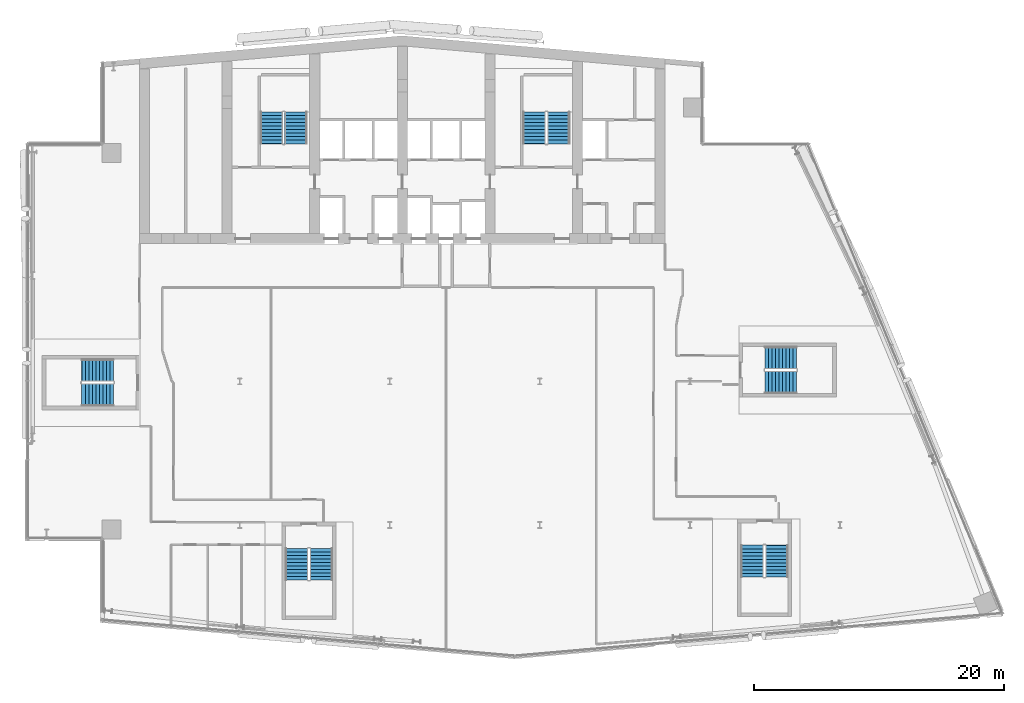
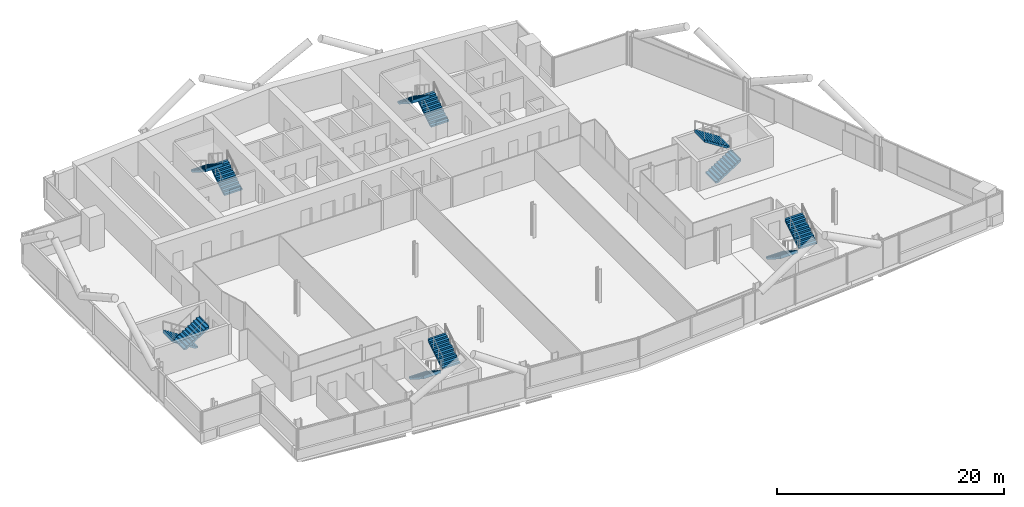
# One storey, part 20 of 26: 12 stair flights, 6 elements without a shape of their own.
"""IFC4 building model written with IfcOpenShell, lengths in metres."""

from ifc_helpers import new_model, si_unit, direction, frame, origin, place, context, subcontext, project, spatial, polyline, outline, extrude, material, type_object, element, aggregate, save


model = new_model("IFC4")

# Units and contexts
model_context = context("Model", 3, precision=1e-05, world=origin(), true_north=direction((0.0, 1.0)))
body_context = subcontext(model_context, "Body", "Model", "MODEL_VIEW")
ifc_project = project(units=[si_unit("LENGTHUNIT", "METRE"), si_unit("AREAUNIT", "SQUARE_METRE"), si_unit("VOLUMEUNIT", "CUBIC_METRE"), si_unit("PLANEANGLEUNIT", "RADIAN"), si_unit("MASSUNIT", "GRAM", prefix="KILO")], contexts=[model_context])

# Site, building, storey
site_placement = place(None, origin())
site = spatial("IfcSite", under=ifc_project, at=site_placement, CompositionType="ELEMENT")
building_placement = place(site_placement, origin())
building = spatial("IfcBuilding", under=site, at=building_placement, Name="Wharfspan Tower", CompositionType="ELEMENT")
storey_placement = place(building_placement, frame((0.0, 0.0, 184.300049)))
storey = spatial("IfcBuildingStorey", under=building, at=storey_placement, Name="L45", CompositionType="ELEMENT", Elevation=184.300049)

# Stair, stair flights
ifc_material = material(Name="Concrete C40/50", Category="concrete")
stair_type = type_object("IfcStairType", Name="Half-turn stair 20 risers 180 mm", PredefinedType="HALF_TURN_STAIR", material=ifc_material)
stair_1_placement = place(storey_placement, origin())
stair_1 = element("IfcStair", 1, at=stair_1_placement, inside=storey, type_object=stair_type, Name="L45 stair ST1", PredefinedType="HALF_TURN_STAIR")
stair_flight_type = type_object("IfcStairFlightType", Name="Stair flight 20 risers 180 mm", PredefinedType="STRAIGHT", material=ifc_material)
stair_flight_1_placement = place(storey_placement, frame((28.5, 42.0, 0.0), z_axis=(0.0, 0.0, 1.0), x_axis=(0.0, 1.0, 0.0)))
stair_flight_1 = element("IfcStairFlight", 2, at=stair_flight_1_placement, type_object=stair_flight_type, Name="ST1 flight 1", NumberOfRisers=10, NumberOfTreads=9, PredefinedType="STRAIGHT", RiserHeight=0.18, TreadLength=0.28, context=body_context, shape_type="SweptSolid", body=[
    extrude(outline(polyline([(-0.011963, 0.0), (-0.011963, 0.179932), (0.0, 0.179932), (0.280029, 0.179932), (0.280029, 0.360107), (0.560059, 0.360107), (0.560059, 0.540039), (0.840088, 0.540039), (0.840088, 0.719971), (1.120117, 0.719971), (1.120117, 0.899902), (1.399902, 0.899902), (1.399902, 1.080078), (1.679932, 1.080078), (1.679932, 1.26001), (1.959961, 1.26001), (1.959961, 1.439941), (2.23999, 1.439941), (2.23999, 1.620117), (2.52002, 1.620117), (2.531982, 1.800049), (2.531982, 1.441895), (0.2771, 0.0), (-0.011963, 0.0)])), frame((0.0, 0.899902, 0.0), z_axis=(0.0, -1.0, 0.0), x_axis=(1.0, 0.0, 0.0)), (0.0, 0.0, 1.0), 0.899414),
    extrude(outline(polyline([(-0.011963, 0.0), (-0.011963, 0.179932), (0.0, 0.179932), (0.280029, 0.179932), (0.280029, 0.360107), (0.560059, 0.360107), (0.560059, 0.540039), (0.840088, 0.540039), (0.840088, 0.719971), (1.120117, 0.719971), (1.120117, 0.899902), (1.399902, 0.899902), (1.399902, 1.080078), (1.679932, 1.080078), (1.679932, 1.26001), (1.959961, 1.26001), (1.959961, 1.439941), (2.23999, 1.439941), (2.23999, 1.620117), (2.52002, 1.620117), (2.531982, 1.800049), (2.531982, 1.441895), (0.2771, 0.0), (-0.011963, 0.0)])), frame((0.0, -0.000488, 0.0), z_axis=(0.0, -1.0, 0.0), x_axis=(1.0, 0.0, 0.0)), (0.0, 0.0, 1.0), 0.899414),
])
stair_flight_2_placement = place(storey_placement, frame((26.550049, 44.52002, 1.800049), z_axis=(0.0, 0.0, 1.0), x_axis=(0.0, -1.0, 0.0)))
stair_flight_2 = element("IfcStairFlight", 3, at=stair_flight_2_placement, type_object=stair_flight_type, Name="ST1 flight 2", NumberOfRisers=10, NumberOfTreads=9, PredefinedType="STRAIGHT", RiserHeight=0.18, TreadLength=0.28, context=body_context, shape_type="SweptSolid", body=[
    extrude(outline(polyline([(-0.011963, 0.0), (-0.011963, 0.179932), (0.0, 0.179932), (0.280029, 0.179932), (0.280029, 0.360107), (0.560059, 0.360107), (0.560059, 0.540039), (0.840088, 0.540039), (0.840088, 0.719971), (1.120117, 0.719971), (1.120117, 0.899902), (1.399902, 0.899902), (1.399902, 1.080078), (1.679932, 1.080078), (1.679932, 1.26001), (1.959961, 1.26001), (1.959961, 1.439941), (2.23999, 1.439941), (2.23999, 1.620117), (2.52002, 1.620117), (2.531982, 1.800049), (2.531982, 1.441895), (0.2771, 0.0), (-0.011963, 0.0)])), frame((0.0, 0.899902, 0.0), z_axis=(0.0, -1.0, 0.0), x_axis=(1.0, 0.0, 0.0)), (0.0, 0.0, 1.0), 0.899414),
    extrude(outline(polyline([(-0.011963, 0.0), (-0.011963, 0.179932), (0.0, 0.179932), (0.280029, 0.179932), (0.280029, 0.360107), (0.560059, 0.360107), (0.560059, 0.540039), (0.840088, 0.540039), (0.840088, 0.719971), (1.120117, 0.719971), (1.120117, 0.899902), (1.399902, 0.899902), (1.399902, 1.080078), (1.679932, 1.080078), (1.679932, 1.26001), (1.959961, 1.26001), (1.959961, 1.439941), (2.23999, 1.439941), (2.23999, 1.620117), (2.52002, 1.620117), (2.531982, 1.800049), (2.531982, 1.441895), (0.2771, 0.0), (-0.011963, 0.0)])), frame((0.0, -0.000488, 0.0), z_axis=(0.0, -1.0, 0.0), x_axis=(1.0, 0.0, 0.0)), (0.0, 0.0, 1.0), 0.899414),
])
aggregate(stair_1, [stair_flight_1, stair_flight_2])

stair_2_placement = place(storey_placement, origin())
stair_2 = element("IfcStair", 4, at=stair_2_placement, inside=storey, type_object=stair_type, Name="L45 stair ST2", PredefinedType="HALF_TURN_STAIR")
stair_flight_3_placement = place(storey_placement, frame((49.5, 42.0, 0.0), z_axis=(0.0, 0.0, 1.0), x_axis=(0.0, 1.0, 0.0)))
stair_flight_3 = element("IfcStairFlight", 5, at=stair_flight_3_placement, type_object=stair_flight_type, Name="ST2 flight 1", NumberOfRisers=10, NumberOfTreads=9, PredefinedType="STRAIGHT", RiserHeight=0.18, TreadLength=0.28, context=body_context, shape_type="SweptSolid", body=[
    extrude(outline(polyline([(-0.011963, 0.0), (-0.011963, 0.179932), (0.0, 0.179932), (0.280029, 0.179932), (0.280029, 0.360107), (0.560059, 0.360107), (0.560059, 0.540039), (0.840088, 0.540039), (0.840088, 0.719971), (1.120117, 0.719971), (1.120117, 0.899902), (1.399902, 0.899902), (1.399902, 1.080078), (1.679932, 1.080078), (1.679932, 1.26001), (1.959961, 1.26001), (1.959961, 1.439941), (2.23999, 1.439941), (2.23999, 1.620117), (2.52002, 1.620117), (2.531982, 1.800049), (2.531982, 1.441895), (0.2771, 0.0), (-0.011963, 0.0)])), frame((0.0, 0.899902, 0.0), z_axis=(0.0, -1.0, 0.0), x_axis=(1.0, 0.0, 0.0)), (0.0, 0.0, 1.0), 0.899414),
    extrude(outline(polyline([(-0.011963, 0.0), (-0.011963, 0.179932), (0.0, 0.179932), (0.280029, 0.179932), (0.280029, 0.360107), (0.560059, 0.360107), (0.560059, 0.540039), (0.840088, 0.540039), (0.840088, 0.719971), (1.120117, 0.719971), (1.120117, 0.899902), (1.399902, 0.899902), (1.399902, 1.080078), (1.679932, 1.080078), (1.679932, 1.26001), (1.959961, 1.26001), (1.959961, 1.439941), (2.23999, 1.439941), (2.23999, 1.620117), (2.52002, 1.620117), (2.531982, 1.800049), (2.531982, 1.441895), (0.2771, 0.0), (-0.011963, 0.0)])), frame((0.0, -0.000488, 0.0), z_axis=(0.0, -1.0, 0.0), x_axis=(1.0, 0.0, 0.0)), (0.0, 0.0, 1.0), 0.899414),
])
stair_flight_4_placement = place(storey_placement, frame((47.550049, 44.52002, 1.800049), z_axis=(0.0, 0.0, 1.0), x_axis=(0.0, -1.0, 0.0)))
stair_flight_4 = element("IfcStairFlight", 6, at=stair_flight_4_placement, type_object=stair_flight_type, Name="ST2 flight 2", NumberOfRisers=10, NumberOfTreads=9, PredefinedType="STRAIGHT", RiserHeight=0.18, TreadLength=0.28, context=body_context, shape_type="SweptSolid", body=[
    extrude(outline(polyline([(-0.011963, 0.0), (-0.011963, 0.179932), (0.0, 0.179932), (0.280029, 0.179932), (0.280029, 0.360107), (0.560059, 0.360107), (0.560059, 0.540039), (0.840088, 0.540039), (0.840088, 0.719971), (1.120117, 0.719971), (1.120117, 0.899902), (1.399902, 0.899902), (1.399902, 1.080078), (1.679932, 1.080078), (1.679932, 1.26001), (1.959961, 1.26001), (1.959961, 1.439941), (2.23999, 1.439941), (2.23999, 1.620117), (2.52002, 1.620117), (2.531982, 1.800049), (2.531982, 1.441895), (0.2771, 0.0), (-0.011963, 0.0)])), frame((0.0, 0.899902, 0.0), z_axis=(0.0, -1.0, 0.0), x_axis=(1.0, 0.0, 0.0)), (0.0, 0.0, 1.0), 0.899414),
    extrude(outline(polyline([(-0.011963, 0.0), (-0.011963, 0.179932), (0.0, 0.179932), (0.280029, 0.179932), (0.280029, 0.360107), (0.560059, 0.360107), (0.560059, 0.540039), (0.840088, 0.540039), (0.840088, 0.719971), (1.120117, 0.719971), (1.120117, 0.899902), (1.399902, 0.899902), (1.399902, 1.080078), (1.679932, 1.080078), (1.679932, 1.26001), (1.959961, 1.26001), (1.959961, 1.439941), (2.23999, 1.439941), (2.23999, 1.620117), (2.52002, 1.620117), (2.531982, 1.800049), (2.531982, 1.441895), (0.2771, 0.0), (-0.011963, 0.0)])), frame((0.0, -0.000488, 0.0), z_axis=(0.0, -1.0, 0.0), x_axis=(1.0, 0.0, 0.0)), (0.0, 0.0, 1.0), 0.899414),
])
aggregate(stair_2, [stair_flight_3, stair_flight_4])

stair_3_placement = place(storey_placement, origin())
stair_3 = element("IfcStair", 7, at=stair_3_placement, inside=storey, type_object=stair_type, Name="L45 stair ST3", PredefinedType="HALF_TURN_STAIR")
stair_flight_5_placement = place(storey_placement, frame((13.899902, 23.875, 0.0), z_axis=(0.0, 0.0, 1.0), x_axis=(-1.0, 0.0, 0.0)))
stair_flight_5 = element("IfcStairFlight", 8, at=stair_flight_5_placement, type_object=stair_flight_type, Name="ST3 flight 1", NumberOfRisers=10, NumberOfTreads=9, PredefinedType="STRAIGHT", RiserHeight=0.18, TreadLength=0.28, context=body_context, shape_type="SweptSolid", body=[
    extrude(outline(polyline([(-0.011963, 0.0), (-0.011963, 0.179932), (0.0, 0.179932), (0.280029, 0.179932), (0.280029, 0.360107), (0.560059, 0.360107), (0.560059, 0.540039), (0.840088, 0.540039), (0.840088, 0.719971), (1.120117, 0.719971), (1.120117, 0.899902), (1.399902, 0.899902), (1.399902, 1.080078), (1.679932, 1.080078), (1.679932, 1.26001), (1.959961, 1.26001), (1.959961, 1.439941), (2.23999, 1.439941), (2.23999, 1.620117), (2.52002, 1.620117), (2.531982, 1.800049), (2.531982, 1.441895), (0.2771, 0.0), (-0.011963, 0.0)])), frame((0.0, 0.899902, 0.0), z_axis=(0.0, -1.0, 0.0), x_axis=(1.0, 0.0, 0.0)), (0.0, 0.0, 1.0), 0.899414),
    extrude(outline(polyline([(-0.011963, 0.0), (-0.011963, 0.179932), (0.0, 0.179932), (0.280029, 0.179932), (0.280029, 0.360107), (0.560059, 0.360107), (0.560059, 0.540039), (0.840088, 0.540039), (0.840088, 0.719971), (1.120117, 0.719971), (1.120117, 0.899902), (1.399902, 0.899902), (1.399902, 1.080078), (1.679932, 1.080078), (1.679932, 1.26001), (1.959961, 1.26001), (1.959961, 1.439941), (2.23999, 1.439941), (2.23999, 1.620117), (2.52002, 1.620117), (2.531982, 1.800049), (2.531982, 1.441895), (0.2771, 0.0), (-0.011963, 0.0)])), frame((0.0, -0.000488, 0.0), z_axis=(0.0, -1.0, 0.0), x_axis=(1.0, 0.0, 0.0)), (0.0, 0.0, 1.0), 0.899414),
])
stair_flight_6_placement = place(storey_placement, frame((11.379883, 21.925049, 1.800049), z_axis=(0.0, 0.0, 1.0), x_axis=(1.0, 0.0, 0.0)))
stair_flight_6 = element("IfcStairFlight", 9, at=stair_flight_6_placement, type_object=stair_flight_type, Name="ST3 flight 2", NumberOfRisers=10, NumberOfTreads=9, PredefinedType="STRAIGHT", RiserHeight=0.18, TreadLength=0.28, context=body_context, shape_type="SweptSolid", body=[
    extrude(outline(polyline([(-0.011963, 0.0), (-0.011963, 0.179932), (0.0, 0.179932), (0.280029, 0.179932), (0.280029, 0.360107), (0.560059, 0.360107), (0.560059, 0.540039), (0.840088, 0.540039), (0.840088, 0.719971), (1.120117, 0.719971), (1.120117, 0.899902), (1.399902, 0.899902), (1.399902, 1.080078), (1.679932, 1.080078), (1.679932, 1.26001), (1.959961, 1.26001), (1.959961, 1.439941), (2.23999, 1.439941), (2.23999, 1.620117), (2.52002, 1.620117), (2.531982, 1.800049), (2.531982, 1.441895), (0.2771, 0.0), (-0.011963, 0.0)])), frame((0.0, 0.899902, 0.0), z_axis=(0.0, -1.0, 0.0), x_axis=(1.0, 0.0, 0.0)), (0.0, 0.0, 1.0), 0.899414),
    extrude(outline(polyline([(-0.011963, 0.0), (-0.011963, 0.179932), (0.0, 0.179932), (0.280029, 0.179932), (0.280029, 0.360107), (0.560059, 0.360107), (0.560059, 0.540039), (0.840088, 0.540039), (0.840088, 0.719971), (1.120117, 0.719971), (1.120117, 0.899902), (1.399902, 0.899902), (1.399902, 1.080078), (1.679932, 1.080078), (1.679932, 1.26001), (1.959961, 1.26001), (1.959961, 1.439941), (2.23999, 1.439941), (2.23999, 1.620117), (2.52002, 1.620117), (2.531982, 1.800049), (2.531982, 1.441895), (0.2771, 0.0), (-0.011963, 0.0)])), frame((0.0, -0.000488, 0.0), z_axis=(0.0, -1.0, 0.0), x_axis=(1.0, 0.0, 0.0)), (0.0, 0.0, 1.0), 0.899414),
])
aggregate(stair_3, [stair_flight_5, stair_flight_6])

stair_4_placement = place(storey_placement, origin())
stair_4 = element("IfcStair", 10, at=stair_4_placement, inside=storey, type_object=stair_type, Name="L45 stair ST4", PredefinedType="HALF_TURN_STAIR")
stair_flight_7_placement = place(storey_placement, frame((28.564209, 9.634277, 0.0), z_axis=(0.0, 0.0, 1.0), x_axis=(0.0, -1.0, 0.0)))
stair_flight_7 = element("IfcStairFlight", 11, at=stair_flight_7_placement, type_object=stair_flight_type, Name="ST4 flight 1", NumberOfRisers=10, NumberOfTreads=9, PredefinedType="STRAIGHT", RiserHeight=0.18, TreadLength=0.28, context=body_context, shape_type="SweptSolid", body=[
    extrude(outline(polyline([(-0.011963, 0.0), (-0.011963, 0.179932), (0.0, 0.179932), (0.280029, 0.179932), (0.280029, 0.360107), (0.560059, 0.360107), (0.560059, 0.540039), (0.840088, 0.540039), (0.840088, 0.719971), (1.120117, 0.719971), (1.120117, 0.899902), (1.399902, 0.899902), (1.399902, 1.080078), (1.679932, 1.080078), (1.679932, 1.26001), (1.959961, 1.26001), (1.959961, 1.439941), (2.23999, 1.439941), (2.23999, 1.620117), (2.52002, 1.620117), (2.531982, 1.800049), (2.531982, 1.441895), (0.2771, 0.0), (-0.011963, 0.0)])), frame((0.0, 0.899902, 0.0), z_axis=(0.0, -1.0, 0.0), x_axis=(1.0, 0.0, 0.0)), (0.0, 0.0, 1.0), 0.899414),
    extrude(outline(polyline([(-0.011963, 0.0), (-0.011963, 0.179932), (0.0, 0.179932), (0.280029, 0.179932), (0.280029, 0.360107), (0.560059, 0.360107), (0.560059, 0.540039), (0.840088, 0.540039), (0.840088, 0.719971), (1.120117, 0.719971), (1.120117, 0.899902), (1.399902, 0.899902), (1.399902, 1.080078), (1.679932, 1.080078), (1.679932, 1.26001), (1.959961, 1.26001), (1.959961, 1.439941), (2.23999, 1.439941), (2.23999, 1.620117), (2.52002, 1.620117), (2.531982, 1.800049), (2.531982, 1.441895), (0.2771, 0.0), (-0.011963, 0.0)])), frame((0.0, -0.000488, 0.0), z_axis=(0.0, -1.0, 0.0), x_axis=(1.0, 0.0, 0.0)), (0.0, 0.0, 1.0), 0.899414),
])
stair_flight_8_placement = place(storey_placement, frame((30.51416, 7.114258, 1.800049), z_axis=(0.0, 0.0, 1.0), x_axis=(0.0, 1.0, 0.0)))
stair_flight_8 = element("IfcStairFlight", 12, at=stair_flight_8_placement, type_object=stair_flight_type, Name="ST4 flight 2", NumberOfRisers=10, NumberOfTreads=9, PredefinedType="STRAIGHT", RiserHeight=0.18, TreadLength=0.28, context=body_context, shape_type="SweptSolid", body=[
    extrude(outline(polyline([(-0.011963, 0.0), (-0.011963, 0.179932), (0.0, 0.179932), (0.280029, 0.179932), (0.280029, 0.360107), (0.560059, 0.360107), (0.560059, 0.540039), (0.840088, 0.540039), (0.840088, 0.719971), (1.120117, 0.719971), (1.120117, 0.899902), (1.399902, 0.899902), (1.399902, 1.080078), (1.679932, 1.080078), (1.679932, 1.26001), (1.959961, 1.26001), (1.959961, 1.439941), (2.23999, 1.439941), (2.23999, 1.620117), (2.52002, 1.620117), (2.531982, 1.800049), (2.531982, 1.441895), (0.2771, 0.0), (-0.011963, 0.0)])), frame((0.0, 0.899902, 0.0), z_axis=(0.0, -1.0, 0.0), x_axis=(1.0, 0.0, 0.0)), (0.0, 0.0, 1.0), 0.899414),
    extrude(outline(polyline([(-0.011963, 0.0), (-0.011963, 0.179932), (0.0, 0.179932), (0.280029, 0.179932), (0.280029, 0.360107), (0.560059, 0.360107), (0.560059, 0.540039), (0.840088, 0.540039), (0.840088, 0.719971), (1.120117, 0.719971), (1.120117, 0.899902), (1.399902, 0.899902), (1.399902, 1.080078), (1.679932, 1.080078), (1.679932, 1.26001), (1.959961, 1.26001), (1.959961, 1.439941), (2.23999, 1.439941), (2.23999, 1.620117), (2.52002, 1.620117), (2.531982, 1.800049), (2.531982, 1.441895), (0.2771, 0.0), (-0.011963, 0.0)])), frame((0.0, -0.000488, 0.0), z_axis=(0.0, -1.0, 0.0), x_axis=(1.0, 0.0, 0.0)), (0.0, 0.0, 1.0), 0.899414),
])
aggregate(stair_4, [stair_flight_7, stair_flight_8])

stair_5_placement = place(storey_placement, origin())
stair_5 = element("IfcStair", 13, at=stair_5_placement, inside=storey, type_object=stair_type, Name="L45 stair ST5", PredefinedType="HALF_TURN_STAIR")
stair_flight_9_placement = place(storey_placement, frame((64.986328, 9.883789, 0.0), z_axis=(0.0, 0.0, 1.0), x_axis=(0.0, -1.0, 0.0)))
stair_flight_9 = element("IfcStairFlight", 14, at=stair_flight_9_placement, type_object=stair_flight_type, Name="ST5 flight 1", NumberOfRisers=10, NumberOfTreads=9, PredefinedType="STRAIGHT", RiserHeight=0.18, TreadLength=0.28, context=body_context, shape_type="SweptSolid", body=[
    extrude(outline(polyline([(-0.011963, 0.0), (-0.011963, 0.179932), (0.0, 0.179932), (0.280029, 0.179932), (0.280029, 0.360107), (0.560059, 0.360107), (0.560059, 0.540039), (0.840088, 0.540039), (0.840088, 0.719971), (1.120117, 0.719971), (1.120117, 0.899902), (1.399902, 0.899902), (1.399902, 1.080078), (1.679932, 1.080078), (1.679932, 1.26001), (1.959961, 1.26001), (1.959961, 1.439941), (2.23999, 1.439941), (2.23999, 1.620117), (2.52002, 1.620117), (2.531982, 1.800049), (2.531982, 1.441895), (0.2771, 0.0), (-0.011963, 0.0)])), frame((0.0, 0.899902, 0.0), z_axis=(0.0, -1.0, 0.0), x_axis=(1.0, 0.0, 0.0)), (0.0, 0.0, 1.0), 0.899414),
    extrude(outline(polyline([(-0.011963, 0.0), (-0.011963, 0.179932), (0.0, 0.179932), (0.280029, 0.179932), (0.280029, 0.360107), (0.560059, 0.360107), (0.560059, 0.540039), (0.840088, 0.540039), (0.840088, 0.719971), (1.120117, 0.719971), (1.120117, 0.899902), (1.399902, 0.899902), (1.399902, 1.080078), (1.679932, 1.080078), (1.679932, 1.26001), (1.959961, 1.26001), (1.959961, 1.439941), (2.23999, 1.439941), (2.23999, 1.620117), (2.52002, 1.620117), (2.531982, 1.800049), (2.531982, 1.441895), (0.2771, 0.0), (-0.011963, 0.0)])), frame((0.0, -0.000488, 0.0), z_axis=(0.0, -1.0, 0.0), x_axis=(1.0, 0.0, 0.0)), (0.0, 0.0, 1.0), 0.899414),
])
stair_flight_10_placement = place(storey_placement, frame((66.936279, 7.36377, 1.800049), z_axis=(0.0, 0.0, 1.0), x_axis=(0.0, 1.0, 0.0)))
stair_flight_10 = element("IfcStairFlight", 15, at=stair_flight_10_placement, type_object=stair_flight_type, Name="ST5 flight 2", NumberOfRisers=10, NumberOfTreads=9, PredefinedType="STRAIGHT", RiserHeight=0.18, TreadLength=0.28, context=body_context, shape_type="SweptSolid", body=[
    extrude(outline(polyline([(-0.011963, 0.0), (-0.011963, 0.179932), (0.0, 0.179932), (0.280029, 0.179932), (0.280029, 0.360107), (0.560059, 0.360107), (0.560059, 0.540039), (0.840088, 0.540039), (0.840088, 0.719971), (1.120117, 0.719971), (1.120117, 0.899902), (1.399902, 0.899902), (1.399902, 1.080078), (1.679932, 1.080078), (1.679932, 1.26001), (1.959961, 1.26001), (1.959961, 1.439941), (2.23999, 1.439941), (2.23999, 1.620117), (2.52002, 1.620117), (2.531982, 1.800049), (2.531982, 1.441895), (0.2771, 0.0), (-0.011963, 0.0)])), frame((0.0, 0.899902, 0.0), z_axis=(0.0, -1.0, 0.0), x_axis=(1.0, 0.0, 0.0)), (0.0, 0.0, 1.0), 0.899414),
    extrude(outline(polyline([(-0.011963, 0.0), (-0.011963, 0.179932), (0.0, 0.179932), (0.280029, 0.179932), (0.280029, 0.360107), (0.560059, 0.360107), (0.560059, 0.540039), (0.840088, 0.540039), (0.840088, 0.719971), (1.120117, 0.719971), (1.120117, 0.899902), (1.399902, 0.899902), (1.399902, 1.080078), (1.679932, 1.080078), (1.679932, 1.26001), (1.959961, 1.26001), (1.959961, 1.439941), (2.23999, 1.439941), (2.23999, 1.620117), (2.52002, 1.620117), (2.531982, 1.800049), (2.531982, 1.441895), (0.2771, 0.0), (-0.011963, 0.0)])), frame((0.0, -0.000488, 0.0), z_axis=(0.0, -1.0, 0.0), x_axis=(1.0, 0.0, 0.0)), (0.0, 0.0, 1.0), 0.899414),
])
aggregate(stair_5, [stair_flight_9, stair_flight_10])

stair_6_placement = place(storey_placement, origin())
stair_6 = element("IfcStair", 16, at=stair_6_placement, inside=storey, type_object=stair_type, Name="L45 stair ST6", PredefinedType="HALF_TURN_STAIR")
stair_flight_11_placement = place(storey_placement, frame((66.004639, 22.925049, 0.0), z_axis=(0.0, 0.0, 1.0), x_axis=(1.0, 0.0, 0.0)))
stair_flight_11 = element("IfcStairFlight", 17, at=stair_flight_11_placement, type_object=stair_flight_type, Name="ST6 flight 1", NumberOfRisers=10, NumberOfTreads=9, PredefinedType="STRAIGHT", RiserHeight=0.18, TreadLength=0.28, context=body_context, shape_type="SweptSolid", body=[
    extrude(outline(polyline([(-0.011963, 0.0), (-0.011963, 0.179932), (0.0, 0.179932), (0.280029, 0.179932), (0.280029, 0.360107), (0.560059, 0.360107), (0.560059, 0.540039), (0.840088, 0.540039), (0.840088, 0.719971), (1.120117, 0.719971), (1.120117, 0.899902), (1.399902, 0.899902), (1.399902, 1.080078), (1.679932, 1.080078), (1.679932, 1.26001), (1.959961, 1.26001), (1.959961, 1.439941), (2.23999, 1.439941), (2.23999, 1.620117), (2.52002, 1.620117), (2.531982, 1.800049), (2.531982, 1.441895), (0.2771, 0.0), (-0.011963, 0.0)])), frame((0.0, 0.899902, 0.0), z_axis=(0.0, -1.0, 0.0), x_axis=(1.0, 0.0, 0.0)), (0.0, 0.0, 1.0), 0.899414),
    extrude(outline(polyline([(-0.011963, 0.0), (-0.011963, 0.179932), (0.0, 0.179932), (0.280029, 0.179932), (0.280029, 0.360107), (0.560059, 0.360107), (0.560059, 0.540039), (0.840088, 0.540039), (0.840088, 0.719971), (1.120117, 0.719971), (1.120117, 0.899902), (1.399902, 0.899902), (1.399902, 1.080078), (1.679932, 1.080078), (1.679932, 1.26001), (1.959961, 1.26001), (1.959961, 1.439941), (2.23999, 1.439941), (2.23999, 1.620117), (2.52002, 1.620117), (2.531982, 1.800049), (2.531982, 1.441895), (0.2771, 0.0), (-0.011963, 0.0)])), frame((0.0, -0.000488, 0.0), z_axis=(0.0, -1.0, 0.0), x_axis=(1.0, 0.0, 0.0)), (0.0, 0.0, 1.0), 0.899414),
])
stair_flight_12_placement = place(storey_placement, frame((68.524658, 24.875, 1.800049), z_axis=(0.0, 0.0, 1.0), x_axis=(-1.0, 0.0, 0.0)))
stair_flight_12 = element("IfcStairFlight", 18, at=stair_flight_12_placement, type_object=stair_flight_type, Name="ST6 flight 2", NumberOfRisers=10, NumberOfTreads=9, PredefinedType="STRAIGHT", RiserHeight=0.18, TreadLength=0.28, context=body_context, shape_type="SweptSolid", body=[
    extrude(outline(polyline([(-0.011963, 0.0), (-0.011963, 0.179932), (0.0, 0.179932), (0.280029, 0.179932), (0.280029, 0.360107), (0.560059, 0.360107), (0.560059, 0.540039), (0.840088, 0.540039), (0.840088, 0.719971), (1.120117, 0.719971), (1.120117, 0.899902), (1.399902, 0.899902), (1.399902, 1.080078), (1.679932, 1.080078), (1.679932, 1.26001), (1.959961, 1.26001), (1.959961, 1.439941), (2.23999, 1.439941), (2.23999, 1.620117), (2.52002, 1.620117), (2.531982, 1.800049), (2.531982, 1.441895), (0.2771, 0.0), (-0.011963, 0.0)])), frame((0.0, 0.899902, 0.0), z_axis=(0.0, -1.0, 0.0), x_axis=(1.0, 0.0, 0.0)), (0.0, 0.0, 1.0), 0.899414),
    extrude(outline(polyline([(-0.011963, 0.0), (-0.011963, 0.179932), (0.0, 0.179932), (0.280029, 0.179932), (0.280029, 0.360107), (0.560059, 0.360107), (0.560059, 0.540039), (0.840088, 0.540039), (0.840088, 0.719971), (1.120117, 0.719971), (1.120117, 0.899902), (1.399902, 0.899902), (1.399902, 1.080078), (1.679932, 1.080078), (1.679932, 1.26001), (1.959961, 1.26001), (1.959961, 1.439941), (2.23999, 1.439941), (2.23999, 1.620117), (2.52002, 1.620117), (2.531982, 1.800049), (2.531982, 1.441895), (0.2771, 0.0), (-0.011963, 0.0)])), frame((0.0, -0.000488, 0.0), z_axis=(0.0, -1.0, 0.0), x_axis=(1.0, 0.0, 0.0)), (0.0, 0.0, 1.0), 0.899414),
])
aggregate(stair_6, [stair_flight_11, stair_flight_12])

save(model, "model.ifc")
